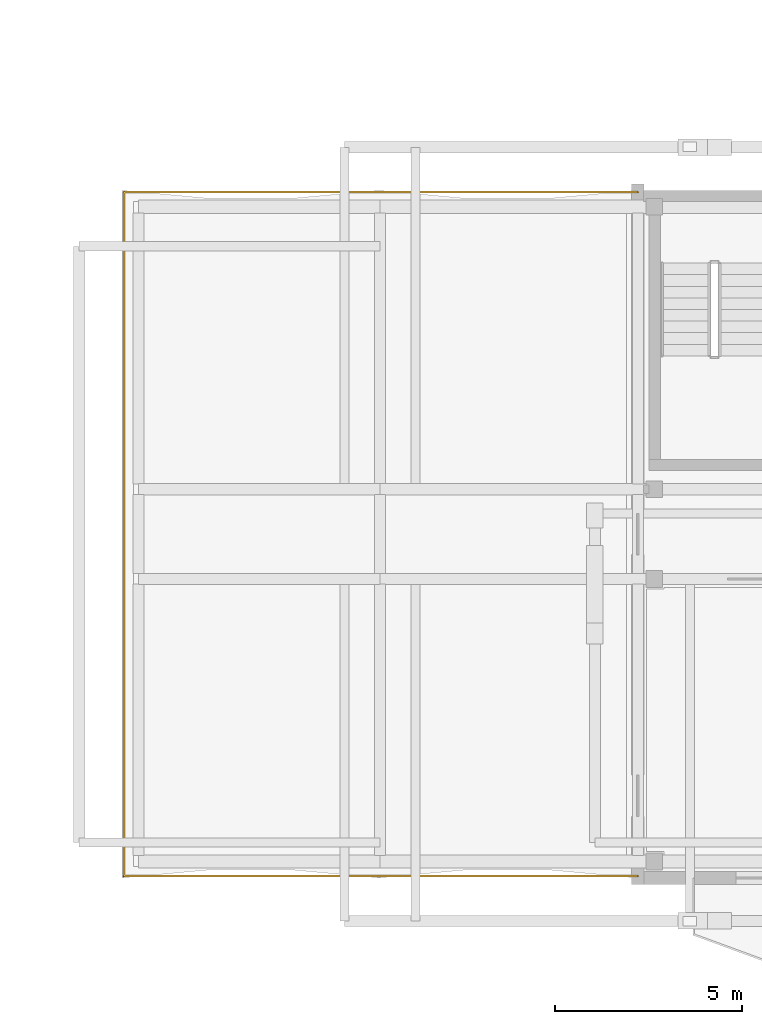
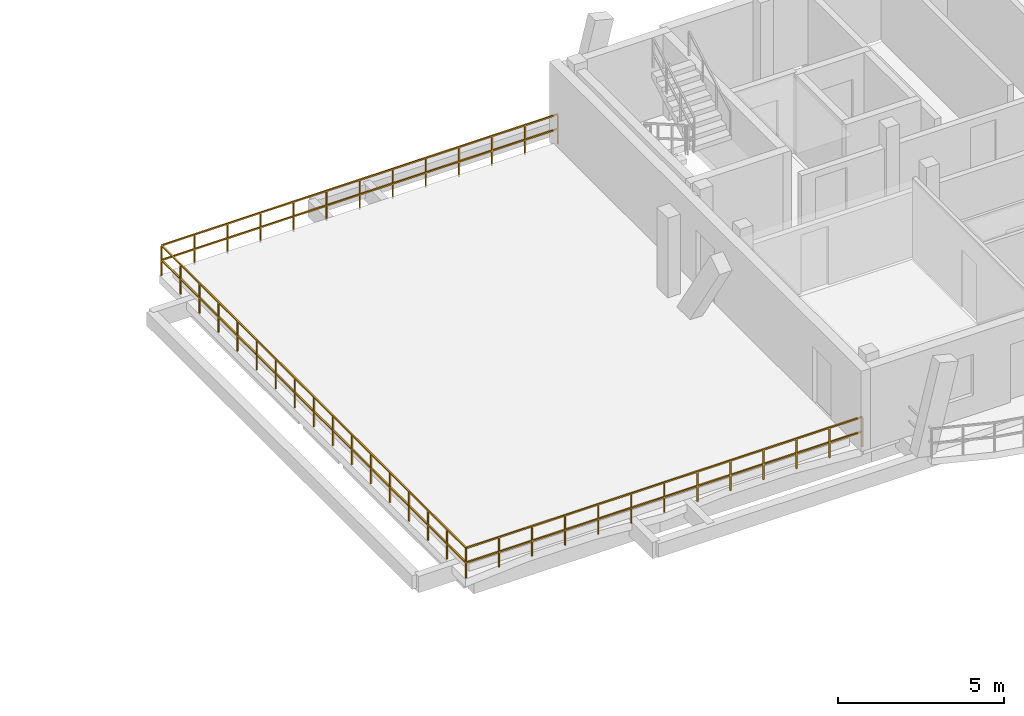
# One storey, part 40 of 48: 1 railing.
"""IFC4 building model written with IfcOpenShell, lengths in metres."""

from ifc_helpers import new_model, si_unit, direction, frame, origin, origin_2d, place, context, subcontext, project, spatial, rectangle, extrude, material, type_object, element, save


model = new_model("IFC4")

# Units and contexts
model_context = context("Model", 3, precision=1e-05, world=origin(), true_north=direction((0.0, 1.0)))
body_context = subcontext(model_context, "Body", "Model", "MODEL_VIEW")
ifc_project = project(units=[si_unit("LENGTHUNIT", "METRE"), si_unit("AREAUNIT", "SQUARE_METRE"), si_unit("VOLUMEUNIT", "CUBIC_METRE"), si_unit("PLANEANGLEUNIT", "RADIAN"), si_unit("MASSUNIT", "GRAM", prefix="KILO")], contexts=[model_context])

# Site, building, storey
site_placement = place(None, origin())
site = spatial("IfcSite", under=ifc_project, at=site_placement, CompositionType="ELEMENT")
building_placement = place(site_placement, origin())
building = spatial("IfcBuilding", under=site, at=building_placement, Name="Zavelmont Quarter", CompositionType="ELEMENT")
storey_placement = place(building_placement, frame((0.0, 0.0, 17.60009765625)))
storey = spatial("IfcBuildingStorey", under=building, at=storey_placement, Name="L05", CompositionType="ELEMENT", Elevation=17.60009765625)

# Railing
ifc_material = material(Name="Powder-coated steel and tempered double safety glass", Category="steel")
railing_type = type_object("IfcRailingType", Name="RL-TER1", PredefinedType="BALUSTRADE", material=ifc_material)
railing_placement = place(storey_placement, frame((126.60009765625, 0.050048828125, 0.0)))
element("IfcRailing", 1, at=railing_placement, inside=storey, type_object=railing_type, Name="L05 Block D setback terrace guard RL-TER1", PredefinedType="BALUSTRADE", context=body_context, shape_type="SweptSolid", body=[
    extrude(rectangle(XDim=0.048095703125, YDim=0.048095703125, at=origin_2d()), frame((0.0, 0.0, 1.09619140625), z_axis=(-1.0, 0.0, 0.0), x_axis=(0.0, -1.0, 0.0)), (0.0, 0.0, 1.0), 13.75),
    extrude(rectangle(XDim=0.048095703125, YDim=0.048095703125, at=origin_2d()), frame((0.0, 0.0, 0.56005859375), z_axis=(-1.0, 0.0, 0.0), x_axis=(0.0, -1.0, 0.0)), (0.0, 0.0, 1.0), 13.75),
    extrude(rectangle(XDim=0.048095703125, YDim=0.048095703125, at=origin_2d()), frame((-13.75, 0.0, 1.09619140625), z_axis=(0.0, 1.0, 0.0), x_axis=(-1.0, 0.0, 0.0)), (0.0, 0.0, 1.0), 18.300048828125),
    extrude(rectangle(XDim=0.048095703125, YDim=0.048095703125, at=origin_2d()), frame((-13.75, 0.0, 0.56005859375), z_axis=(0.0, 1.0, 0.0), x_axis=(-1.0, 0.0, 0.0)), (0.0, 0.0, 1.0), 18.300048828125),
    extrude(rectangle(XDim=0.048095703125, YDim=0.048095703125, at=origin_2d()), frame((-13.75, 18.300048828125, 1.09619140625), z_axis=(1.0, 0.0, 0.0), x_axis=(0.0, 1.0, 0.0)), (0.0, 0.0, 1.0), 13.75),
    extrude(rectangle(XDim=0.048095703125, YDim=0.048095703125, at=origin_2d()), frame((-13.75, 18.300048828125, 0.56005859375), z_axis=(1.0, 0.0, 0.0), x_axis=(0.0, 1.0, 0.0)), (0.0, 0.0, 1.0), 13.75),
    extrude(rectangle(XDim=0.0419921875, YDim=0.0419921875, at=origin_2d()), origin(), (0.0, 0.0, 1.0), 1.072021484375),
    extrude(rectangle(XDim=0.0419921875, YDim=0.0419921875, at=origin_2d()), frame((-1.145751953125, 0.0, 0.0)), (0.0, 0.0, 1.0), 1.072021484375),
    extrude(rectangle(XDim=0.0419921875, YDim=0.0419921875, at=origin_2d()), frame((-2.291748046875, 0.0, 0.0)), (0.0, 0.0, 1.0), 1.072021484375),
    extrude(rectangle(XDim=0.0419921875, YDim=0.0419921875, at=origin_2d()), frame((-3.4375, 0.0, 0.0)), (0.0, 0.0, 1.0), 1.072021484375),
    extrude(rectangle(XDim=0.0419921875, YDim=0.0419921875, at=origin_2d()), frame((-4.583251953125, 0.0, 0.0)), (0.0, 0.0, 1.0), 1.072021484375),
    extrude(rectangle(XDim=0.0419921875, YDim=0.0419921875, at=origin_2d()), frame((-5.729248046875, 0.0, 0.0)), (0.0, 0.0, 1.0), 1.072021484375),
    extrude(rectangle(XDim=0.0419921875, YDim=0.0419921875, at=origin_2d()), frame((-6.875, 0.0, 0.0)), (0.0, 0.0, 1.0), 1.072021484375),
    extrude(rectangle(XDim=0.0419921875, YDim=0.0419921875, at=origin_2d()), frame((-8.020751953125, 0.0, 0.0)), (0.0, 0.0, 1.0), 1.072021484375),
    extrude(rectangle(XDim=0.0419921875, YDim=0.0419921875, at=origin_2d()), frame((-9.166748046875, 0.0, 0.0)), (0.0, 0.0, 1.0), 1.072021484375),
    extrude(rectangle(XDim=0.0419921875, YDim=0.0419921875, at=origin_2d()), frame((-10.3125, 0.0, 0.0)), (0.0, 0.0, 1.0), 1.072021484375),
    extrude(rectangle(XDim=0.0419921875, YDim=0.0419921875, at=origin_2d()), frame((-11.458251953125, 0.0, 0.0)), (0.0, 0.0, 1.0), 1.072021484375),
    extrude(rectangle(XDim=0.0419921875, YDim=0.0419921875, at=origin_2d()), frame((-12.604248046875, 0.0, 0.0)), (0.0, 0.0, 1.0), 1.072021484375),
    extrude(rectangle(XDim=0.0419921875, YDim=0.0419921875, at=origin_2d()), frame((-13.75, 0.0, 0.0)), (0.0, 0.0, 1.0), 1.072021484375),
    extrude(rectangle(XDim=0.0419921875, YDim=0.0419921875, at=origin_2d()), frame((-13.75, 1.143798828125, 0.0)), (0.0, 0.0, 1.0), 1.072021484375),
    extrude(rectangle(XDim=0.0419921875, YDim=0.0419921875, at=origin_2d()), frame((-13.75, 2.28759765625, 0.0)), (0.0, 0.0, 1.0), 1.072021484375),
    extrude(rectangle(XDim=0.0419921875, YDim=0.0419921875, at=origin_2d()), frame((-13.75, 3.43115234375, 0.0)), (0.0, 0.0, 1.0), 1.072021484375),
    extrude(rectangle(XDim=0.0419921875, YDim=0.0419921875, at=origin_2d()), frame((-13.75, 4.574951171875, 0.0)), (0.0, 0.0, 1.0), 1.072021484375),
    extrude(rectangle(XDim=0.0419921875, YDim=0.0419921875, at=origin_2d()), frame((-13.75, 5.71875, 0.0)), (0.0, 0.0, 1.0), 1.072021484375),
    extrude(rectangle(XDim=0.0419921875, YDim=0.0419921875, at=origin_2d()), frame((-13.75, 6.862548828125, 0.0)), (0.0, 0.0, 1.0), 1.072021484375),
    extrude(rectangle(XDim=0.0419921875, YDim=0.0419921875, at=origin_2d()), frame((-13.75, 8.00634765625, 0.0)), (0.0, 0.0, 1.0), 1.072021484375),
    extrude(rectangle(XDim=0.0419921875, YDim=0.0419921875, at=origin_2d()), frame((-13.75, 9.14990234375, 0.0)), (0.0, 0.0, 1.0), 1.072021484375),
    extrude(rectangle(XDim=0.0419921875, YDim=0.0419921875, at=origin_2d()), frame((-13.75, 10.293701171875, 0.0)), (0.0, 0.0, 1.0), 1.072021484375),
    extrude(rectangle(XDim=0.0419921875, YDim=0.0419921875, at=origin_2d()), frame((-13.75, 11.4375, 0.0)), (0.0, 0.0, 1.0), 1.072021484375),
    extrude(rectangle(XDim=0.0419921875, YDim=0.0419921875, at=origin_2d()), frame((-13.75, 12.581298828125, 0.0)), (0.0, 0.0, 1.0), 1.072021484375),
    extrude(rectangle(XDim=0.0419921875, YDim=0.0419921875, at=origin_2d()), frame((-13.75, 13.72509765625, 0.0)), (0.0, 0.0, 1.0), 1.072021484375),
    extrude(rectangle(XDim=0.0419921875, YDim=0.0419921875, at=origin_2d()), frame((-13.75, 14.868896484375, 0.0)), (0.0, 0.0, 1.0), 1.072021484375),
    extrude(rectangle(XDim=0.0419921875, YDim=0.0419921875, at=origin_2d()), frame((-13.75, 16.012451171875, 0.0)), (0.0, 0.0, 1.0), 1.072021484375),
    extrude(rectangle(XDim=0.0419921875, YDim=0.0419921875, at=origin_2d()), frame((-13.75, 17.15625, 0.0)), (0.0, 0.0, 1.0), 1.072021484375),
    extrude(rectangle(XDim=0.0419921875, YDim=0.0419921875, at=origin_2d()), frame((-13.75, 18.300048828125, 0.0)), (0.0, 0.0, 1.0), 1.072021484375),
    extrude(rectangle(XDim=0.0419921875, YDim=0.0419921875, at=origin_2d()), frame((-12.604248046875, 18.300048828125, 0.0)), (0.0, 0.0, 1.0), 1.072021484375),
    extrude(rectangle(XDim=0.0419921875, YDim=0.0419921875, at=origin_2d()), frame((-11.458251953125, 18.300048828125, 0.0)), (0.0, 0.0, 1.0), 1.072021484375),
    extrude(rectangle(XDim=0.0419921875, YDim=0.0419921875, at=origin_2d()), frame((-10.3125, 18.300048828125, 0.0)), (0.0, 0.0, 1.0), 1.072021484375),
    extrude(rectangle(XDim=0.0419921875, YDim=0.0419921875, at=origin_2d()), frame((-9.166748046875, 18.300048828125, 0.0)), (0.0, 0.0, 1.0), 1.072021484375),
    extrude(rectangle(XDim=0.0419921875, YDim=0.0419921875, at=origin_2d()), frame((-8.020751953125, 18.300048828125, 0.0)), (0.0, 0.0, 1.0), 1.072021484375),
    extrude(rectangle(XDim=0.0419921875, YDim=0.0419921875, at=origin_2d()), frame((-6.875, 18.300048828125, 0.0)), (0.0, 0.0, 1.0), 1.072021484375),
    extrude(rectangle(XDim=0.0419921875, YDim=0.0419921875, at=origin_2d()), frame((-5.729248046875, 18.300048828125, 0.0)), (0.0, 0.0, 1.0), 1.072021484375),
    extrude(rectangle(XDim=0.0419921875, YDim=0.0419921875, at=origin_2d()), frame((-4.583251953125, 18.300048828125, 0.0)), (0.0, 0.0, 1.0), 1.072021484375),
    extrude(rectangle(XDim=0.0419921875, YDim=0.0419921875, at=origin_2d()), frame((-3.4375, 18.300048828125, 0.0)), (0.0, 0.0, 1.0), 1.072021484375),
    extrude(rectangle(XDim=0.0419921875, YDim=0.0419921875, at=origin_2d()), frame((-2.291748046875, 18.300048828125, 0.0)), (0.0, 0.0, 1.0), 1.072021484375),
    extrude(rectangle(XDim=0.0419921875, YDim=0.0419921875, at=origin_2d()), frame((-1.145751953125, 18.300048828125, 0.0)), (0.0, 0.0, 1.0), 1.072021484375),
    extrude(rectangle(XDim=0.0419921875, YDim=0.0419921875, at=origin_2d()), frame((0.0, 18.300048828125, 0.0)), (0.0, 0.0, 1.0), 1.072021484375),
])

save(model, "model.ifc")
